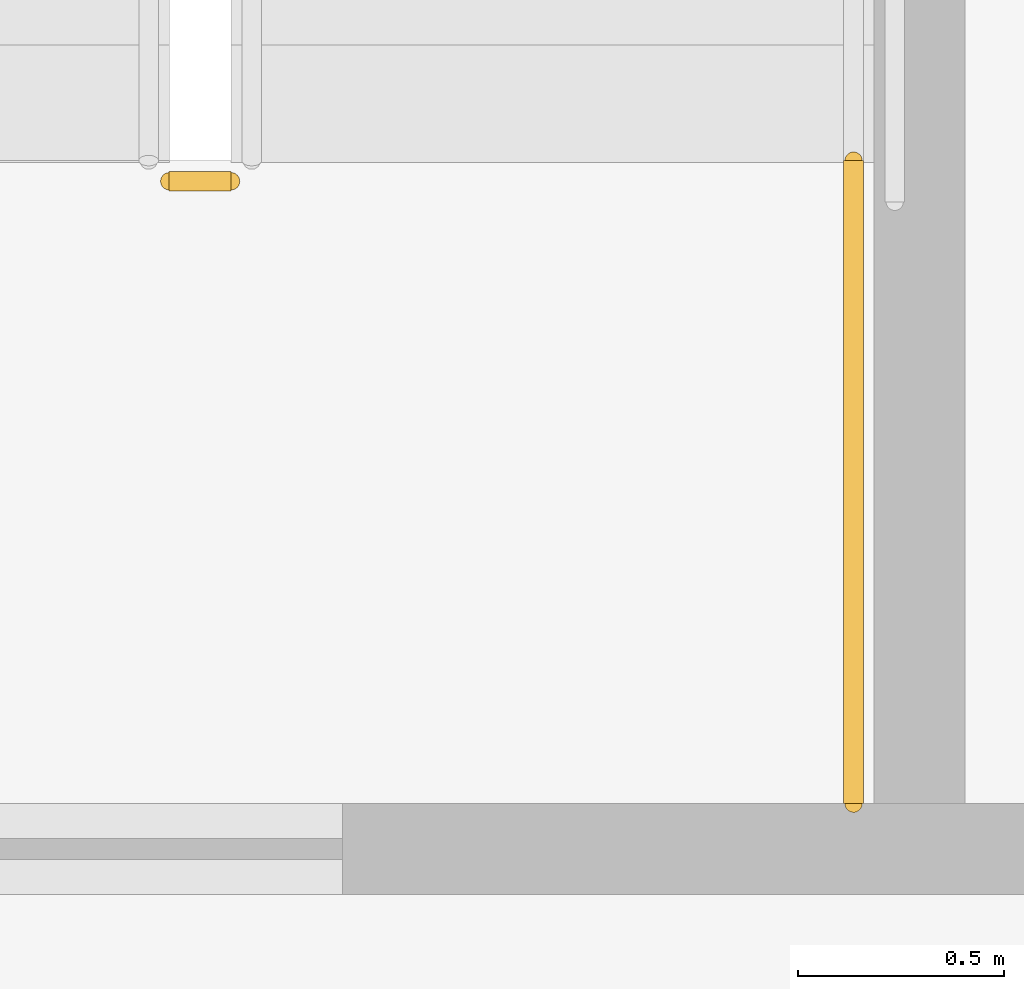
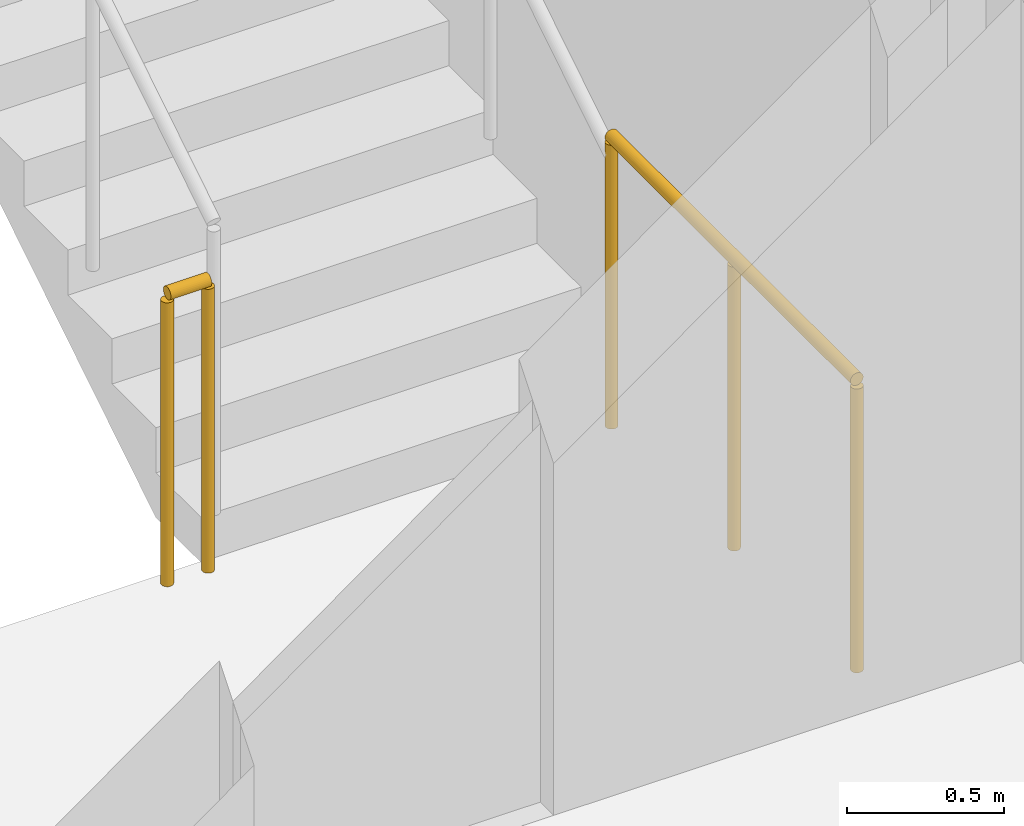
# One storey, part 13 of 16: 2 railings.
"""IFC4 building model written with IfcOpenShell, lengths in metres."""

import ifcopenshell
import ifcopenshell.guid

model = None  # the IFC model being written
_history = None  # IfcOwnerHistory: only IFC2X3 demands one
_inside = {}  # id of a spatial element -> (the spatial element, [elements in it])
_under = {}  # id of a project, library or spatial element -> (it, [spatial elements below it])
_declared = {}  # id of a project -> (the project, [libraries it declares])
_typed = {}  # id of a type object -> (the type object, [elements of that type])
_made_of = {}  # id of a material, layer set ... -> (it, [elements and type objects made of it])


def new_model(schema):
    """Start an empty IFC model of exactly this schema.

    Asked for "IFC4X3", IfcOpenShell would pick the latest addendum, in which some entities
    have other attributes; the version numbers below select the first issue.
    IFC2X3 requires an IfcOwnerHistory on every rooted entity: one is made here for all.
    """
    global model, _history
    if schema == "IFC4X3":
        model = ifcopenshell.file(schema_version=(4, 3, 0, 0))
    else:
        model = ifcopenshell.file(schema=schema)
    _inside.clear()
    _under.clear()
    _declared.clear()
    _typed.clear()
    _made_of.clear()
    _history = None
    if model.schema == "IFC2X3":
        org = make("IfcOrganization", Name="unknown")
        user = make(
            "IfcPersonAndOrganization",
            ThePerson=make("IfcPerson", FamilyName="unknown"),
            TheOrganization=org,
        )
        app = make(
            "IfcApplication",
            ApplicationDeveloper=org,
            Version="unknown",
            ApplicationFullName="unknown",
            ApplicationIdentifier="unknown",
        )
        _history = make(
            "IfcOwnerHistory",
            OwningUser=user,
            OwningApplication=app,
            ChangeAction="ADDED",
            CreationDate=0,
        )
    return model


def make(cls, **values):
    """One entity of the class cls with the attributes given. An attribute that is None is left unset."""
    return model.create_entity(
        cls, **{name: value for name, value in values.items() if value is not None}
    )


def rooted(cls, **values):
    """An entity with a GlobalId (a new one), such as an element, a storey or a relation."""
    return make(cls, GlobalId=ifcopenshell.guid.new(), OwnerHistory=_history, **values)


def si_unit(unit_type, name, prefix=None):
    """IfcSIUnit, for example si_unit("LENGTHUNIT", "METRE", prefix="MILLI")."""
    return make("IfcSIUnit", UnitType=unit_type, Prefix=prefix, Name=name)


def assignment(units):
    """IfcUnitAssignment: the units of a project."""
    return None if units is None else make("IfcUnitAssignment", Units=units)


def point(xyz):
    """IfcCartesianPoint."""
    return None if xyz is None else make("IfcCartesianPoint", Coordinates=xyz)


def direction(xyz):
    """IfcDirection."""
    return None if xyz is None else make("IfcDirection", DirectionRatios=xyz)


def frame(location, z_axis=None, x_axis=None):
    """IfcAxis2Placement3D, a coordinate frame: its origin and axes. An axis left out is left unset."""
    return make(
        "IfcAxis2Placement3D",
        Location=point(location),
        Axis=direction(z_axis),
        RefDirection=direction(x_axis),
    )


def frame_2d(location, x_axis=None):
    """IfcAxis2Placement2D, a coordinate frame in the plane: its origin and x axis."""
    return make(
        "IfcAxis2Placement2D", Location=point(location), RefDirection=direction(x_axis)
    )


def origin():
    """The frame at (0, 0, 0) with its axes left unset."""
    return frame((0.0, 0.0, 0.0))


def origin_2d():
    """The frame at (0, 0) in the plane with its x axis left unset."""
    return frame_2d((0.0, 0.0))


def place(relative_to, where):
    """IfcLocalPlacement: puts the frame where relative to a parent placement (None: the world)."""
    return make(
        "IfcLocalPlacement", PlacementRelTo=relative_to, RelativePlacement=where
    )


def context(
    kind, dimensions, precision=None, world=None, true_north=None, identifier=None
):
    """IfcGeometricRepresentationContext, for example the 3D "Model" context."""
    return make(
        "IfcGeometricRepresentationContext",
        ContextIdentifier=identifier,
        ContextType=kind,
        CoordinateSpaceDimension=dimensions,
        Precision=precision,
        WorldCoordinateSystem=world,
        TrueNorth=true_north,
    )


def subcontext(parent, identifier, kind, view, scale=None):
    """IfcGeometricRepresentationSubContext, for example "Body" below "Model"."""
    return make(
        "IfcGeometricRepresentationSubContext",
        ContextIdentifier=identifier,
        ContextType=kind,
        ParentContext=parent,
        TargetScale=scale,
        TargetView=view,
    )


def project(units=None, contexts=None):
    """IfcProject with its units and contexts."""
    return rooted(
        "IfcProject",
        Name="project",
        RepresentationContexts=contexts,
        UnitsInContext=assignment(units),
    )


def spatial(cls, under=None, at=None, **own):
    """A site, building, storey or space (cls), placed at a placement, below another one or the project."""
    s = rooted(cls, ObjectPlacement=at, **own)
    if under is not None:
        _under.setdefault(under.id(), (under, []))[1].append(s)
    return s


def profile(cls, at=None, kind="AREA", **sizes):
    """A parametric profile (cls). Its sizes go by their IFC names, for example OverallWidth=200.0."""
    return make(cls, ProfileType=kind, Position=at, **sizes)


def circle(**sizes):
    """IfcCircleProfileDef."""
    return profile("IfcCircleProfileDef", **sizes)


def extrude(swept, where, along, depth):
    """IfcExtrudedAreaSolid: the profile swept, set in the frame where, extruded along a direction by depth."""
    return make(
        "IfcExtrudedAreaSolid",
        SweptArea=swept,
        Position=where,
        ExtrudedDirection=direction(along),
        Depth=depth,
    )


def shape(context_of_items, identifier, shape_type, items):
    """IfcShapeRepresentation: the items that make up one representation, for example the "Body"."""
    return make(
        "IfcShapeRepresentation",
        ContextOfItems=context_of_items,
        RepresentationIdentifier=identifier,
        RepresentationType=shape_type,
        Items=items,
    )


def material(Name=None, Category=None):
    """IfcMaterial."""
    return make("IfcMaterial", Name=Name, Category=Category)


def made_of(thing, what):
    """Note that an element or type object is made of a material, layer set ...; save() writes the relation."""
    if what is not None:
        _made_of.setdefault(what.id(), (what, []))[1].append(thing)
    return thing


def type_object(cls, material=None, **own):
    """A type object (cls), such as IfcWallType, which elements share."""
    return made_of(rooted(cls, **own), material)


def element(
    cls,
    number,
    at=None,
    inside=None,
    cuts=None,
    type_object=None,
    material=None,
    context=None,
    identifier="Body",
    shape_type=None,
    held_by="IfcProductDefinitionShape",
    body=None,
    shapes=None,
    **own,
):
    """One element of the class cls, such as IfcWall. Its Tag is "e" and its number.

    at: its placement. inside: the storey or other place that contains it. cuts: it is an
    opening in that element (IfcRelVoidsElement). A single representation is given by context,
    identifier, shape_type and body (its items); several are given by shapes. held_by: the class
    of the entity that holds the representations. save() writes the other relations.
    """
    e = rooted(cls, Tag="e%d" % number, ObjectPlacement=at, **own)
    if body is not None:
        shapes = [shape(context, identifier, shape_type, body)]
    if shapes is not None:
        e.Representation = make(held_by, Representations=shapes)
    if inside is not None:
        _inside.setdefault(inside.id(), (inside, []))[1].append(e)
    if cuts is not None:
        rooted(
            "IfcRelVoidsElement", RelatingBuildingElement=cuts, RelatedOpeningElement=e
        )
    if type_object is not None:
        _typed.setdefault(type_object.id(), (type_object, []))[1].append(e)
    return made_of(e, material)


def aggregate(whole, parts):
    """IfcRelAggregates: a whole, such as a stair, and the parts it consists of."""
    return rooted("IfcRelAggregates", RelatingObject=whole, RelatedObjects=parts)


def save(model, path):
    """Write the relations noted so far, then the file.

    IfcRelAggregates (storeys below a building ...), IfcRelContainedInSpatialStructure (elements
    in a storey), IfcRelDefinesByType, IfcRelAssociatesMaterial and IfcRelDeclares: one each for
    every whole, place, type object, material and project.
    """
    for whole, parts in _under.values():
        aggregate(whole, parts)
    for where, things in _inside.values():
        rooted(
            "IfcRelContainedInSpatialStructure",
            RelatedElements=things,
            RelatingStructure=where,
        )
    for kind, things in _typed.values():
        rooted("IfcRelDefinesByType", RelatedObjects=things, RelatingType=kind)
    for what, things in _made_of.values():
        rooted("IfcRelAssociatesMaterial", RelatedObjects=things, RelatingMaterial=what)
    for by, libraries in _declared.values():
        rooted("IfcRelDeclares", RelatingContext=by, RelatedDefinitions=libraries)
    model.write(path)


model = new_model("IFC4")

# Units and contexts
model_context = context("Model", 3, precision=1e-05, world=origin(), true_north=direction((0.0, 1.0)))
body_context = subcontext(model_context, "Body", "Model", "MODEL_VIEW")
ifc_project = project(units=[si_unit("LENGTHUNIT", "METRE"), si_unit("AREAUNIT", "SQUARE_METRE"), si_unit("VOLUMEUNIT", "CUBIC_METRE"), si_unit("PLANEANGLEUNIT", "RADIAN"), si_unit("MASSUNIT", "GRAM", prefix="KILO")], contexts=[model_context])

# Site, building, storey
site_placement = place(None, origin())
site = spatial("IfcSite", under=ifc_project, at=site_placement, CompositionType="ELEMENT")
building_placement = place(site_placement, origin())
building = spatial("IfcBuilding", under=site, at=building_placement, Name="Khairoan Windgate Tower", CompositionType="ELEMENT")
storey_placement = place(building_placement, frame((0.0, 0.0, 55.39990234375)))
storey = spatial("IfcBuildingStorey", under=building, at=storey_placement, Name="L13", CompositionType="ELEMENT", Elevation=55.39990234375)

# Railings
ifc_material = material(Name="Steel S355", Category="steel")
railing_type = type_object("IfcRailingType", Name="Stairwell Safety Guardrail SGR-1150", PredefinedType="GUARDRAIL", material=ifc_material)
railing_1_placement = place(storey_placement, frame((-17.7099609375, 2.909912109375, 0.0)))
element("IfcRailing", 1, at=railing_1_placement, inside=storey, type_object=railing_type, Name="L13 ST2 stair guard 7", PredefinedType="GUARDRAIL", context=body_context, shape_type="SweptSolid", body=[
    extrude(circle(Radius=0.02392578125, at=origin_2d()), frame((0.0, 0.0, 1.1259765625), z_axis=(-1.0, 0.0, 0.0), x_axis=(0.0, -1.0, 0.0)), (0.0, 0.0, 1.0), 0.150146484375),
    extrude(circle(Radius=0.02099609375, at=origin_2d()), origin(), (0.0, 0.0, 1.0), 1.101806640625),
    extrude(circle(Radius=0.02099609375, at=origin_2d()), frame((-0.150146484375, 0.0, 0.0)), (0.0, 0.0, 1.0), 1.101806640625),
])
railing_2_placement = place(storey_placement, frame((-16.199951171875, 1.39990234375, 0.0)))
element("IfcRailing", 2, at=railing_2_placement, inside=storey, type_object=railing_type, Name="L13 ST2 stair guard 8", PredefinedType="GUARDRAIL", context=body_context, shape_type="SweptSolid", body=[
    extrude(circle(Radius=0.02392578125, at=origin_2d()), frame((0.0, 0.0, 1.1259765625), z_axis=(0.0, 1.0, 0.0), x_axis=(-1.0, 0.0, 0.0)), (0.0, 0.0, 1.0), 1.56005859375),
    extrude(circle(Radius=0.02099609375, at=origin_2d()), origin(), (0.0, 0.0, 1.0), 1.101806640625),
    extrude(circle(Radius=0.02099609375, at=origin_2d()), frame((0.0, 0.780029296875, 0.0)), (0.0, 0.0, 1.0), 1.101806640625),
    extrude(circle(Radius=0.02099609375, at=origin_2d()), frame((0.0, 1.56005859375, 0.0)), (0.0, 0.0, 1.0), 1.101806640625),
])

save(model, "model.ifc")
